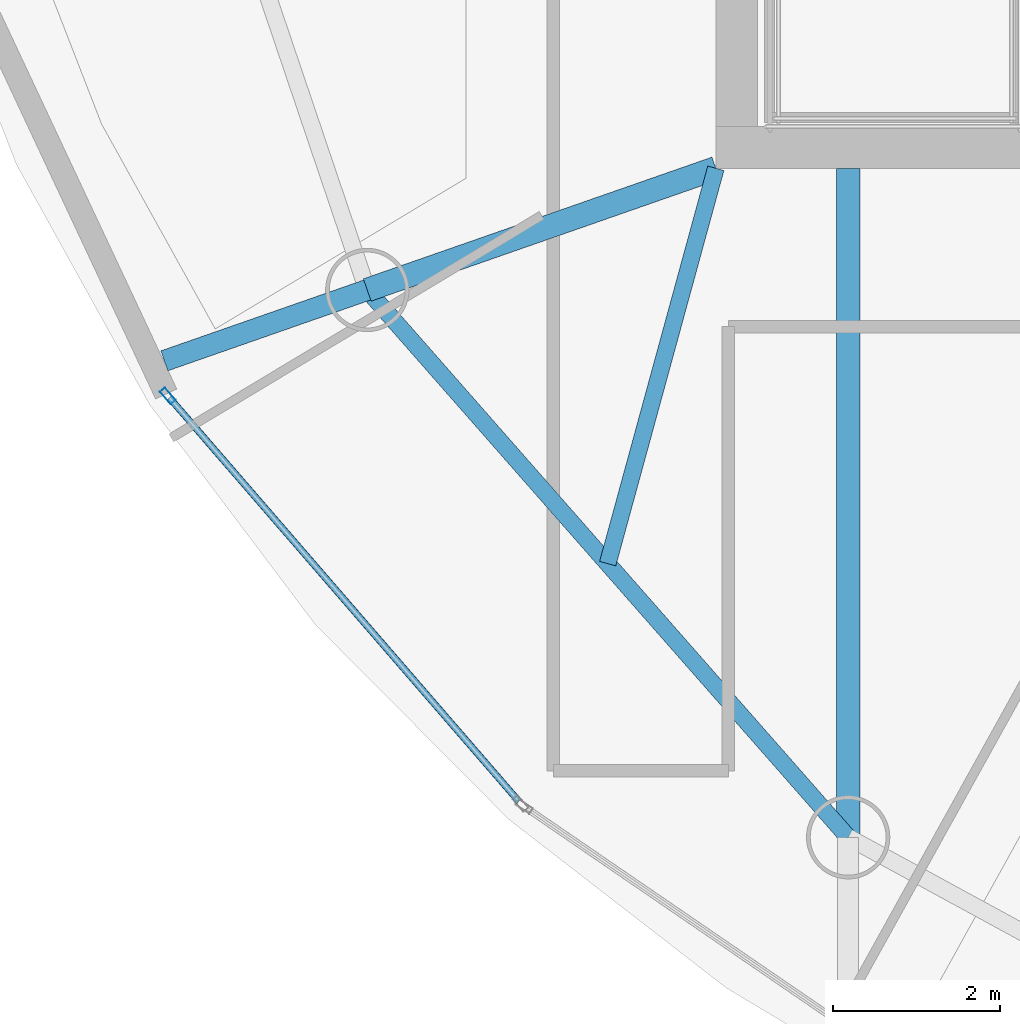
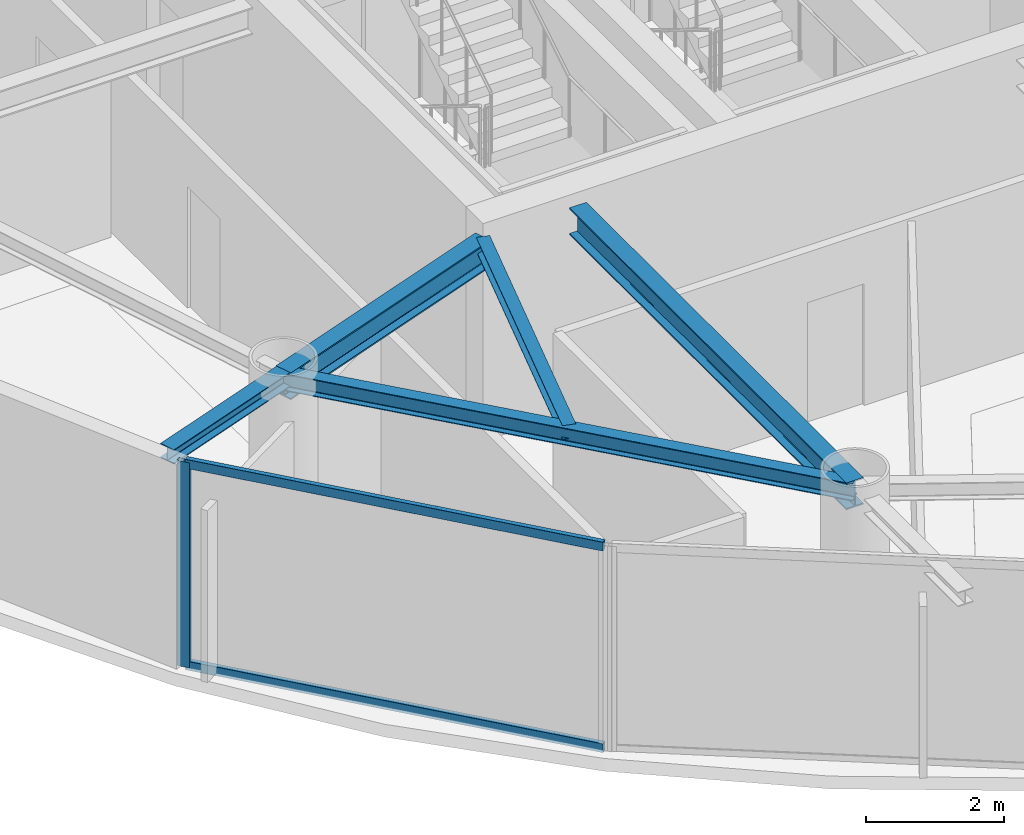
# One storey, part 3 of 16: 5 beams, 3 members, 1 element without a shape of its own.
"""IFC4 building model written with IfcOpenShell, lengths in metres."""

from ifc_helpers import new_model, si_unit, direction, frame, origin, origin_2d, place, context, subcontext, project, spatial, hollow_rectangle, i_section, extrude, material, layer, layer_set, material_profile, profile_set, type_object, element, aggregate, save


model = new_model("IFC4")

# Units and contexts
model_context = context("Model", 3, precision=1e-05, world=origin(), true_north=direction((0.0, 1.0)))
body_context = subcontext(model_context, "Body", "Model", "MODEL_VIEW")
ifc_project = project(units=[si_unit("LENGTHUNIT", "METRE"), si_unit("AREAUNIT", "SQUARE_METRE"), si_unit("VOLUMEUNIT", "CUBIC_METRE"), si_unit("PLANEANGLEUNIT", "RADIAN"), si_unit("MASSUNIT", "GRAM", prefix="KILO")], contexts=[model_context])

# Site, building, storey
site_placement = place(None, origin())
site = spatial("IfcSite", under=ifc_project, at=site_placement, CompositionType="ELEMENT")
building_placement = place(site_placement, origin())
building = spatial("IfcBuilding", under=site, at=building_placement, Name="Bramvorn Convention Spire", CompositionType="ELEMENT")
storey_placement = place(building_placement, frame((0.0, 0.0, 261.300048828125)))
storey = spatial("IfcBuildingStorey", under=building, at=storey_placement, Name="L66", CompositionType="ELEMENT", Elevation=261.300048828125)

# Beams
ifc_material_1 = material(Name="Steel CSA G40.21 Grade 350 (350W)", Category="steel")
ifc_material_profile_1 = material_profile(ifc_material_1, i_section(OverallWidth=0.201904296875, OverallDepth=0.2470703125, WebThickness=0.00732421875, FlangeThickness=0.010986328125, FilletRadius=0.011962890625, at=origin_2d()))
ifc_profile_set_1 = profile_set([ifc_material_profile_1], Name="Steel CSA G40.21 Grade 350 (350W) - W250X49")
beam_type_1 = type_object("IfcBeamType", Name="BM-W250X49", PredefinedType="JOIST", material=ifc_profile_set_1)
beam_1_placement = place(storey_placement, frame((26.75, 18.550048828125, 3.50146484375), z_axis=(-0.26386506219, -0.96455960363, 0.0), x_axis=(0.96455960363, -0.26386506219, 0.0)))
element("IfcBeam", 1, at=beam_1_placement, inside=storey, type_object=beam_type_1, Name="L66 composite floor joist 13", PredefinedType="JOIST", context=body_context, shape_type="SweptSolid", body=[
    extrude(i_section(OverallWidth=0.201904296875, OverallDepth=0.2470703125, WebThickness=0.00732421875, FlangeThickness=0.010986328125, FilletRadius=0.011962890625, at=origin_2d()), origin(), (0.0, 0.0, 1.0), 4.917724609375),
])
ifc_material_profile_2 = material_profile(ifc_material_1, i_section(OverallWidth=0.25390625, OverallDepth=0.2529296875, WebThickness=0.008544921875, FlangeThickness=0.01416015625, FilletRadius=0.011962890625, at=origin_2d()))
ifc_profile_set_2 = profile_set([ifc_material_profile_2], Name="Steel CSA G40.21 Grade 350 (350W) - W250X73")
beam_type_2 = type_object("IfcBeamType", Name="BM-W250X73", PredefinedType="BEAM", material=ifc_profile_set_2)
beam_2_placement = place(storey_placement, frame((22.5673828125, 17.090087890625, 3.49853515625), z_axis=(-0.944109057342, -0.329633262649, 0.0), x_axis=(0.329633262649, -0.944109057342, 0.0)))
element("IfcBeam", 2, at=beam_2_placement, inside=storey, type_object=beam_type_2, Name="L66 slab-edge cantilever tip beam MC13", PredefinedType="BEAM", context=body_context, shape_type="SweptSolid", body=[
    extrude(i_section(OverallWidth=0.25390625, OverallDepth=0.2529296875, WebThickness=0.008544921875, FlangeThickness=0.01416015625, FilletRadius=0.011962890625, at=origin_2d()), origin(), (0.0, 0.0, 1.0), 2.578125),
])
ifc_material_profile_3 = material_profile(ifc_material_1, i_section(OverallWidth=0.202880859375, OverallDepth=0.302978515625, WebThickness=0.007568359375, FlangeThickness=0.01318359375, FilletRadius=0.013916015625, at=origin_2d()))
ifc_profile_set_3 = profile_set([ifc_material_profile_3], Name="Steel CSA G40.21 Grade 350 (350W) - W310X60")
beam_type_3 = type_object("IfcBeamType", Name="BM-W310X60", PredefinedType="JOIST", material=ifc_profile_set_3)
beam_3_placement = place(storey_placement, frame((22.5673828125, 17.090087890625, 3.473388671875), z_axis=(0.660073062339, -0.751201405999, 0.0), x_axis=(0.751201405999, 0.660073062339, 0.0)))
element("IfcBeam", 3, at=beam_3_placement, inside=storey, type_object=beam_type_3, Name="L66 mega-column ring beam 13", PredefinedType="JOIST", context=body_context, shape_type="SweptSolid", body=[
    extrude(i_section(OverallWidth=0.202880859375, OverallDepth=0.302978515625, WebThickness=0.007568359375, FlangeThickness=0.01318359375, FilletRadius=0.013916015625, at=origin_2d()), origin(), (0.0, 0.0, 1.0), 8.741943359375),
])
ifc_material_profile_4 = material_profile(ifc_material_1, i_section(OverallWidth=0.283935546875, OverallDepth=0.47607421875, WebThickness=0.014892578125, FlangeThickness=0.02392578125, FilletRadius=0.01806640625, at=origin_2d()))
ifc_profile_set_4 = profile_set([ifc_material_profile_4], Name="Steel CSA G40.21 Grade 350 (350W) - W460X158")
beam_type_4 = type_object("IfcBeamType", Name="BM-W460X158", PredefinedType="SPANDREL", material=ifc_profile_set_4)
beam_4_placement = place(storey_placement, frame((26.75, 18.550048828125, 3.386962890625), z_axis=(-0.944136391877, -0.329554962843, 0.0), x_axis=(0.329554962843, -0.944136391877, 0.0)))
element("IfcBeam", 4, at=beam_4_placement, inside=storey, type_object=beam_type_4, Name="L66 radial floor girder MC13", PredefinedType="SPANDREL", context=body_context, shape_type="SweptSolid", body=[
    extrude(i_section(OverallWidth=0.283935546875, OverallDepth=0.47607421875, WebThickness=0.014892578125, FlangeThickness=0.02392578125, FilletRadius=0.01806640625, at=origin_2d()), origin(), (0.0, 0.0, 1.0), 4.43017578125),
])
beam_5_placement = place(storey_placement, frame((28.337646484375, 18.550048828125, 3.386962890625), z_axis=(0.0, -1.0, 0.0), x_axis=(1.0, 0.0, 0.0)))
element("IfcBeam", 5, at=beam_5_placement, inside=storey, type_object=beam_type_4, Name="L66 radial floor girder MC14", PredefinedType="SPANDREL", context=body_context, shape_type="SweptSolid", body=[
    extrude(i_section(OverallWidth=0.283935546875, OverallDepth=0.47607421875, WebThickness=0.014892578125, FlangeThickness=0.02392578125, FilletRadius=0.01806640625, at=origin_2d()), origin(), (0.0, 0.0, 1.0), 8.02685546875),
])

# Curtain wall, members
ifc_material_2 = material(Name="Anodised Bronze Unitised Curtain Wall", Category="aluminium")
ifc_layer = layer(ifc_material_2, 0.179931640625)
ifc_layer_set = layer_set([ifc_layer], Name="Anodised Bronze Unitised Curtain Wall - CW-OFF-FRIT")
curtain_wall_type = type_object("IfcCurtainWallType", Name="CW-OFF-FRIT", PredefinedType="USERDEFINED", material=ifc_layer_set)
curtain_wall_placement = place(storey_placement, origin())
curtain_wall = element("IfcCurtainWall", 6, at=curtain_wall_placement, inside=storey, type_object=curtain_wall_type, Name="L66 fritted glass curtain wall 19", ObjectType="UNITISED CURTAIN WALL", PredefinedType="USERDEFINED")
ifc_material_3 = material(Name="Anodised Bronze Aluminium 6063-T6", Category="aluminium")
ifc_material_profile_5 = material_profile(ifc_material_3, hollow_rectangle(XDim=0.080078125, YDim=0.199951171875, WallThickness=0.00390625, InnerFilletRadius=0.0009765625, OuterFilletRadius=0.00390625, at=origin_2d()))
ifc_profile_set_5 = profile_set([ifc_material_profile_5], Name="Anodised Bronze Aluminium 6063-T6 - CWM80X200")
member_type_1 = type_object("IfcMemberType", Name="CW-MUL-180", PredefinedType="MULLION", material=ifc_profile_set_5)
member_1_placement = place(storey_placement, frame((20.174560546875, 15.819580078125, 0.0), z_axis=(0.0, 0.0, 1.0), x_axis=(-0.756062536514, -0.654499381879, 0.0)))
member_1 = element("IfcMember", 7, at=member_1_placement, type_object=member_type_1, Name="CW3 mullion 2", PredefinedType="MULLION", context=body_context, shape_type="SweptSolid", body=[
    extrude(hollow_rectangle(XDim=0.080078125, YDim=0.199951171875, WallThickness=0.00390625, InnerFilletRadius=0.0009765625, OuterFilletRadius=0.00390625, at=origin_2d()), origin(), (0.0, 0.0, 1.0), 3.625),
])
ifc_material_profile_6 = material_profile(ifc_material_3, hollow_rectangle(XDim=0.080078125, YDim=0.159912109375, WallThickness=0.00390625, InnerFilletRadius=0.0009765625, OuterFilletRadius=0.00390625, at=origin_2d()))
ifc_profile_set_6 = profile_set([ifc_material_profile_6], Name="Anodised Bronze Aluminium 6063-T6 - CWT80X160")
member_type_2 = type_object("IfcMemberType", Name="CW-TRN-150", PredefinedType="USERDEFINED", material=ifc_profile_set_6)
member_2_placement = place(storey_placement, frame((24.3876953125, 10.952880859375, 0.030029296875), z_axis=(-0.654505371285, 0.756057351634, 0.0), x_axis=(-0.756057351634, -0.654505371285, 0.0)))
member_2 = element("IfcMember", 8, at=member_2_placement, type_object=member_type_2, Name="CW3 transom 1.1", ObjectType="TRANSOM", PredefinedType="USERDEFINED", context=body_context, shape_type="SweptSolid", body=[
    extrude(hollow_rectangle(XDim=0.080078125, YDim=0.159912109375, WallThickness=0.00390625, InnerFilletRadius=0.0009765625, OuterFilletRadius=0.00390625, at=origin_2d()), origin(), (0.0, 0.0, 1.0), 6.406982421875),
])
member_3_placement = place(storey_placement, frame((24.3876953125, 10.952880859375, 3.594970703125), z_axis=(-0.654505371285, 0.756057351634, 0.0), x_axis=(-0.756057351634, -0.654505371285, 0.0)))
member_3 = element("IfcMember", 9, at=member_3_placement, type_object=member_type_2, Name="CW3 transom 1.2", ObjectType="TRANSOM", PredefinedType="USERDEFINED", context=body_context, shape_type="SweptSolid", body=[
    extrude(hollow_rectangle(XDim=0.080078125, YDim=0.159912109375, WallThickness=0.00390625, InnerFilletRadius=0.0009765625, OuterFilletRadius=0.00390625, at=origin_2d()), origin(), (0.0, 0.0, 1.0), 6.406982421875),
])
aggregate(curtain_wall, [member_1, member_2, member_3])

save(model, "model.ifc")
